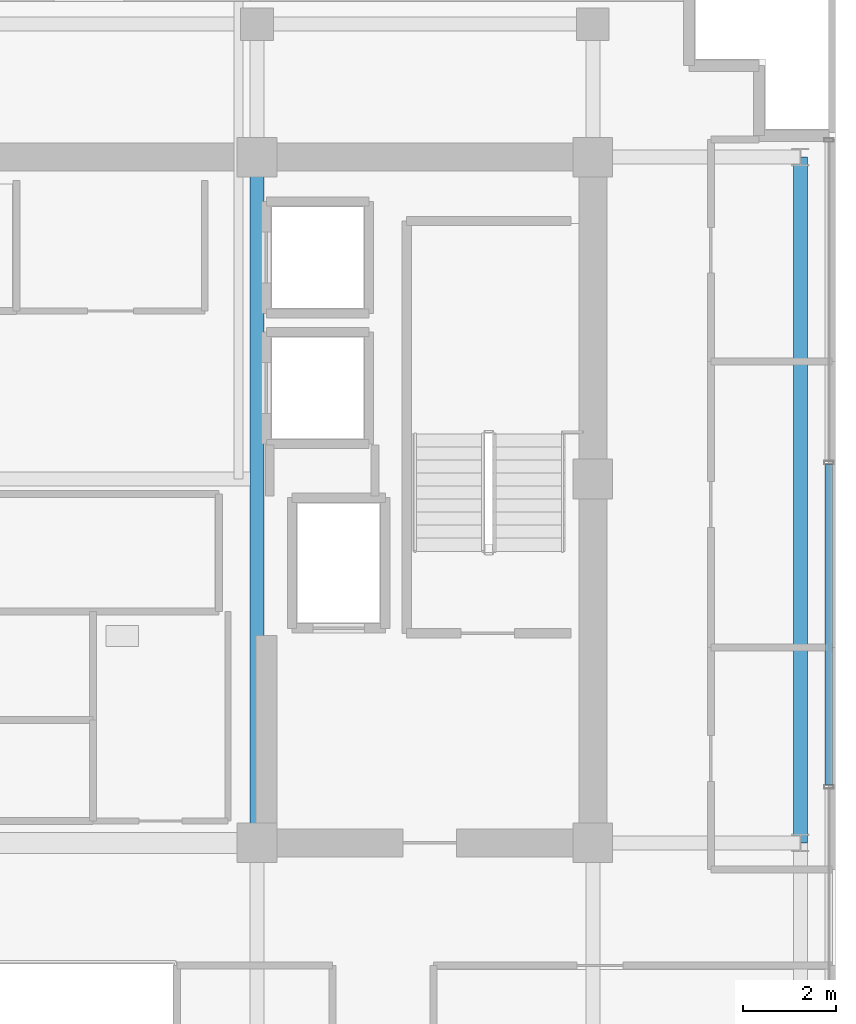
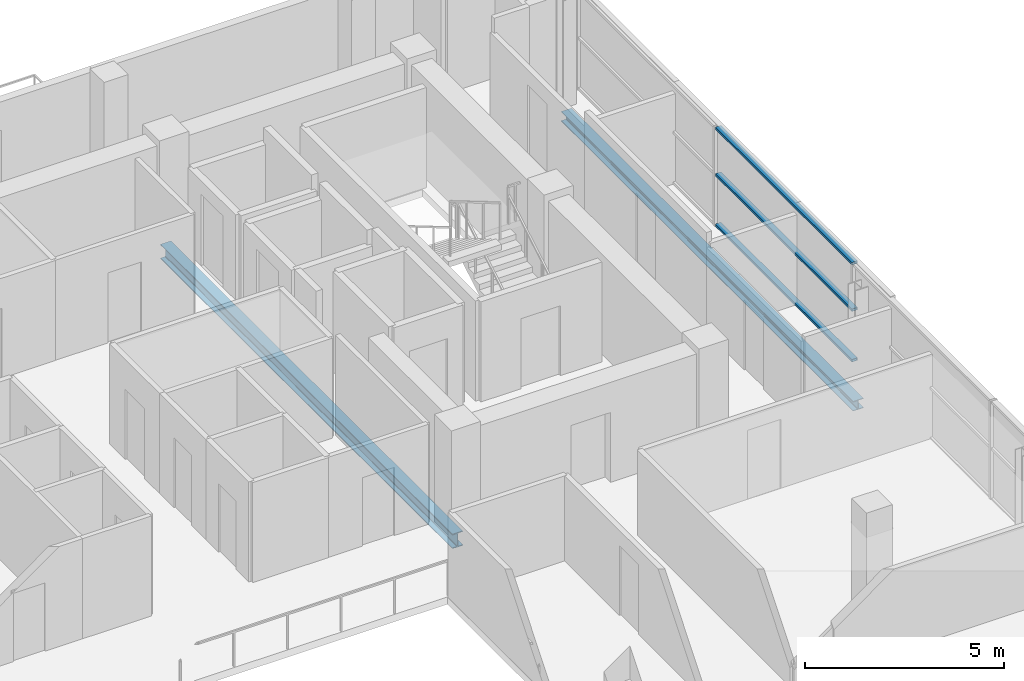
# One storey, part 9 of 24: 3 members, 2 beams, 1 element without a shape of its own.
"""IFC4 building model written with IfcOpenShell, lengths in metres."""

from ifc_helpers import new_model, si_unit, direction, frame, origin, origin_2d, place, context, subcontext, project, spatial, hollow_rectangle, i_section, extrude, source, transform, mapped, material, layer, layer_set, material_profile, profile_set, type_object, element, aggregate, save


model = new_model("IFC4")

# Units and contexts
model_context = context("Model", 3, precision=1e-05, world=origin(), true_north=direction((0.0, 1.0)))
body_context = subcontext(model_context, "Body", "Model", "MODEL_VIEW")
ifc_project = project(units=[si_unit("LENGTHUNIT", "METRE"), si_unit("AREAUNIT", "SQUARE_METRE"), si_unit("VOLUMEUNIT", "CUBIC_METRE"), si_unit("PLANEANGLEUNIT", "RADIAN"), si_unit("MASSUNIT", "GRAM", prefix="KILO")], contexts=[model_context])

# Site, building, storey
site_placement = place(None, origin())
site = spatial("IfcSite", under=ifc_project, at=site_placement, CompositionType="ELEMENT")
building_placement = place(site_placement, origin())
building = spatial("IfcBuilding", under=site, at=building_placement, Name="Zarnakvel Exchange Tower", CompositionType="ELEMENT")
storey_placement = place(building_placement, frame((0.0, 0.0, 208.89990234375)))
storey = spatial("IfcBuildingStorey", under=building, at=storey_placement, Name="L58", CompositionType="ELEMENT", Elevation=208.89990234375)

# Beams
ifc_material_1 = material(Name="Steel S355", Category="steel")
ifc_material_profile_1 = material_profile(ifc_material_1, i_section(OverallWidth=0.300048828125, OverallDepth=0.449951171875, WebThickness=0.013916015625, FlangeThickness=0.02587890625, FilletRadius=0.027099609375, at=origin_2d()))
ifc_profile_set_1 = profile_set([ifc_material_profile_1], Name="Steel S355")
beam_type_1 = type_object("IfcBeamType", Name="G-07", PredefinedType="BEAM", material=ifc_profile_set_1)
beam_1_placement = place(storey_placement, frame((7.199951171875, -1.199951171875, -0.449951171875), z_axis=(0.0, 1.0, 0.0), x_axis=(-1.0, 0.0, 0.0)))
element("IfcBeam", 1, at=beam_1_placement, inside=storey, type_object=beam_type_1, Name="L58 Tower N-S Frame Beam", PredefinedType="BEAM", context=body_context, shape_type="SweptSolid", body=[
    extrude(i_section(OverallWidth=0.300048828125, OverallDepth=0.449951171875, WebThickness=0.013916015625, FlangeThickness=0.02587890625, FilletRadius=0.027099609375, at=origin_2d()), origin(), (0.0, 0.0, 1.0), 14.699951171875),
])
ifc_material_profile_2 = material_profile(ifc_material_1, i_section(OverallWidth=0.300048828125, OverallDepth=0.300048828125, WebThickness=0.010986328125, FlangeThickness=0.01904296875, FilletRadius=0.027099609375, at=origin_2d()))
ifc_profile_set_2 = profile_set([ifc_material_profile_2], Name="Steel S355")
beam_type_2 = type_object("IfcBeamType", Name="SP-03", PredefinedType="SPANDREL", material=ifc_profile_set_2)
beam_2_placement = place(storey_placement, frame((18.85009765625, -1.199951171875, -0.375), z_axis=(0.0, 1.0, 0.0), x_axis=(-1.0, 0.0, 0.0)))
element("IfcBeam", 2, at=beam_2_placement, inside=storey, type_object=beam_type_2, Name="L58 Tower N-S Frame Beam", PredefinedType="SPANDREL", context=body_context, shape_type="SweptSolid", body=[
    extrude(i_section(OverallWidth=0.300048828125, OverallDepth=0.300048828125, WebThickness=0.010986328125, FlangeThickness=0.01904296875, FilletRadius=0.027099609375, at=origin_2d()), origin(), (0.0, 0.0, 1.0), 14.699951171875),
])

# Curtain wall, members
ifc_material_2 = material(Name="Architectural Bronze Anodised Aluminium", Category="aluminium")
ifc_layer = layer(ifc_material_2, 0.199951171875)
ifc_layer_set = layer_set([ifc_layer], Name="Architectural Bronze Anodised Aluminium")
curtain_wall_type = type_object("IfcCurtainWallType", Name="CW-04", PredefinedType="NOTDEFINED", material=ifc_layer_set)
curtain_wall_placement = place(storey_placement, origin())
curtain_wall = element("IfcCurtainWall", 3, at=curtain_wall_placement, inside=storey, type_object=curtain_wall_type, Name="L58 Curtain Wall CW-L58-E1 (CW-04)", PredefinedType="NOTDEFINED")
ifc_material_profile_3 = material_profile(ifc_material_2, hollow_rectangle(XDim=0.159912109375, YDim=0.074951171875, WallThickness=0.00390625, at=origin_2d()))
ifc_profile_set_3 = profile_set([ifc_material_profile_3], Name="Architectural Bronze Anodised Aluminium")
member_type = type_object("IfcMemberType", Name="CWT-04", PredefinedType="USERDEFINED", material=ifc_profile_set_3)
shared_shape = source(origin(), body_context, "Body", "SweptSolid", [
    extrude(hollow_rectangle(XDim=0.159912109375, YDim=0.074951171875, WallThickness=0.00390625, at=origin_2d()), origin(), (0.0, 0.0, 1.0), 6.875),
])
member_1_placement = place(storey_placement, frame((19.4599609375, 0.03759765625, 0.03759765625), z_axis=(0.0, 1.0, 0.0), x_axis=(-1.0, 0.0, 0.0)))
member_1 = element("IfcMember", 4, at=member_1_placement, type_object=member_type, Name="CW-04 transom 3.1", ObjectType="TRANSOM", PredefinedType="USERDEFINED", context=body_context, shape_type="MappedRepresentation", body=[
    mapped(shared_shape, transform((0.0, 0.0, 0.0), x_axis=(1.0, 0.0, 0.0), y_axis=(0.0, 1.0, 0.0), z_axis=(0.0, 0.0, 1.0), scale=1.0)),
])
member_2_placement = place(storey_placement, frame((19.4599609375, 0.03759765625, 1.588623046875), z_axis=(0.0, 1.0, 0.0), x_axis=(-1.0, 0.0, 0.0)))
member_2 = element("IfcMember", 5, at=member_2_placement, type_object=member_type, Name="CW-04 transom 3.2", ObjectType="TRANSOM", PredefinedType="USERDEFINED", context=body_context, shape_type="MappedRepresentation", body=[
    mapped(shared_shape, transform((0.0, 0.0, 0.0), x_axis=(1.0, 0.0, 0.0), y_axis=(0.0, 1.0, 0.0), z_axis=(0.0, 0.0, 1.0), scale=1.0)),
])
member_3_placement = place(storey_placement, frame((19.4599609375, 0.03759765625, 3.017578125), z_axis=(0.0, 1.0, 0.0), x_axis=(-1.0, 0.0, 0.0)))
member_3 = element("IfcMember", 6, at=member_3_placement, type_object=member_type, Name="CW-04 transom 3.3", ObjectType="TRANSOM", PredefinedType="USERDEFINED", context=body_context, shape_type="MappedRepresentation", body=[
    mapped(shared_shape, transform((0.0, 0.0, 0.0), x_axis=(1.0, 0.0, 0.0), y_axis=(0.0, 1.0, 0.0), z_axis=(0.0, 0.0, 1.0), scale=1.0)),
])
aggregate(curtain_wall, [member_1, member_2, member_3])

save(model, "model.ifc")
